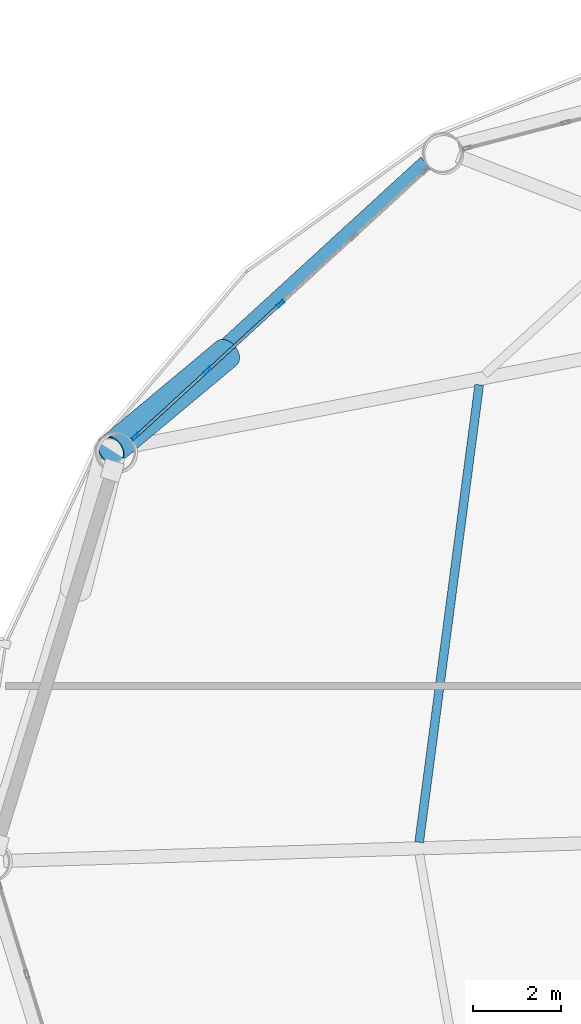
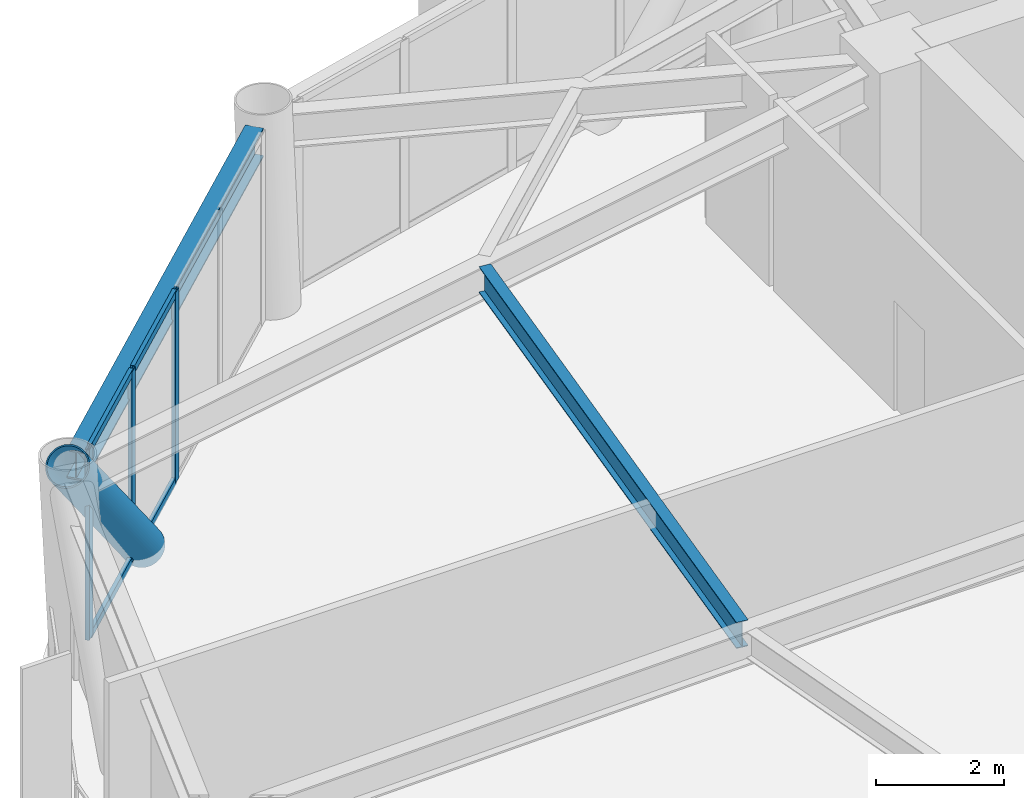
# One storey, part 12 of 25: 8 members, 2 beams, 1 element without a shape of its own.
"""IFC4 building model written with IfcOpenShell, lengths in metres."""

import ifcopenshell
import ifcopenshell.guid

model = None  # the IFC model being written
_history = None  # IfcOwnerHistory: only IFC2X3 demands one
_inside = {}  # id of a spatial element -> (the spatial element, [elements in it])
_under = {}  # id of a project, library or spatial element -> (it, [spatial elements below it])
_declared = {}  # id of a project -> (the project, [libraries it declares])
_typed = {}  # id of a type object -> (the type object, [elements of that type])
_made_of = {}  # id of a material, layer set ... -> (it, [elements and type objects made of it])


def new_model(schema):
    """Start an empty IFC model of exactly this schema.

    Asked for "IFC4X3", IfcOpenShell would pick the latest addendum, in which some entities
    have other attributes; the version numbers below select the first issue.
    IFC2X3 requires an IfcOwnerHistory on every rooted entity: one is made here for all.
    """
    global model, _history
    if schema == "IFC4X3":
        model = ifcopenshell.file(schema_version=(4, 3, 0, 0))
    else:
        model = ifcopenshell.file(schema=schema)
    _inside.clear()
    _under.clear()
    _declared.clear()
    _typed.clear()
    _made_of.clear()
    _history = None
    if model.schema == "IFC2X3":
        org = make("IfcOrganization", Name="unknown")
        user = make(
            "IfcPersonAndOrganization",
            ThePerson=make("IfcPerson", FamilyName="unknown"),
            TheOrganization=org,
        )
        app = make(
            "IfcApplication",
            ApplicationDeveloper=org,
            Version="unknown",
            ApplicationFullName="unknown",
            ApplicationIdentifier="unknown",
        )
        _history = make(
            "IfcOwnerHistory",
            OwningUser=user,
            OwningApplication=app,
            ChangeAction="ADDED",
            CreationDate=0,
        )
    return model


def make(cls, **values):
    """One entity of the class cls with the attributes given. An attribute that is None is left unset."""
    return model.create_entity(
        cls, **{name: value for name, value in values.items() if value is not None}
    )


def rooted(cls, **values):
    """An entity with a GlobalId (a new one), such as an element, a storey or a relation."""
    return make(cls, GlobalId=ifcopenshell.guid.new(), OwnerHistory=_history, **values)


def si_unit(unit_type, name, prefix=None):
    """IfcSIUnit, for example si_unit("LENGTHUNIT", "METRE", prefix="MILLI")."""
    return make("IfcSIUnit", UnitType=unit_type, Prefix=prefix, Name=name)


def assignment(units):
    """IfcUnitAssignment: the units of a project."""
    return None if units is None else make("IfcUnitAssignment", Units=units)


def point(xyz):
    """IfcCartesianPoint."""
    return None if xyz is None else make("IfcCartesianPoint", Coordinates=xyz)


def direction(xyz):
    """IfcDirection."""
    return None if xyz is None else make("IfcDirection", DirectionRatios=xyz)


def frame(location, z_axis=None, x_axis=None):
    """IfcAxis2Placement3D, a coordinate frame: its origin and axes. An axis left out is left unset."""
    return make(
        "IfcAxis2Placement3D",
        Location=point(location),
        Axis=direction(z_axis),
        RefDirection=direction(x_axis),
    )


def frame_2d(location, x_axis=None):
    """IfcAxis2Placement2D, a coordinate frame in the plane: its origin and x axis."""
    return make(
        "IfcAxis2Placement2D", Location=point(location), RefDirection=direction(x_axis)
    )


def origin():
    """The frame at (0, 0, 0) with its axes left unset."""
    return frame((0.0, 0.0, 0.0))


def origin_2d():
    """The frame at (0, 0) in the plane with its x axis left unset."""
    return frame_2d((0.0, 0.0))


def place(relative_to, where):
    """IfcLocalPlacement: puts the frame where relative to a parent placement (None: the world)."""
    return make(
        "IfcLocalPlacement", PlacementRelTo=relative_to, RelativePlacement=where
    )


def context(
    kind, dimensions, precision=None, world=None, true_north=None, identifier=None
):
    """IfcGeometricRepresentationContext, for example the 3D "Model" context."""
    return make(
        "IfcGeometricRepresentationContext",
        ContextIdentifier=identifier,
        ContextType=kind,
        CoordinateSpaceDimension=dimensions,
        Precision=precision,
        WorldCoordinateSystem=world,
        TrueNorth=true_north,
    )


def subcontext(parent, identifier, kind, view, scale=None):
    """IfcGeometricRepresentationSubContext, for example "Body" below "Model"."""
    return make(
        "IfcGeometricRepresentationSubContext",
        ContextIdentifier=identifier,
        ContextType=kind,
        ParentContext=parent,
        TargetScale=scale,
        TargetView=view,
    )


def project(units=None, contexts=None):
    """IfcProject with its units and contexts."""
    return rooted(
        "IfcProject",
        Name="project",
        RepresentationContexts=contexts,
        UnitsInContext=assignment(units),
    )


def spatial(cls, under=None, at=None, **own):
    """A site, building, storey or space (cls), placed at a placement, below another one or the project."""
    s = rooted(cls, ObjectPlacement=at, **own)
    if under is not None:
        _under.setdefault(under.id(), (under, []))[1].append(s)
    return s


def profile(cls, at=None, kind="AREA", **sizes):
    """A parametric profile (cls). Its sizes go by their IFC names, for example OverallWidth=200.0."""
    return make(cls, ProfileType=kind, Position=at, **sizes)


def hollow_rectangle(**sizes):
    """IfcRectangleHollowProfileDef."""
    return profile("IfcRectangleHollowProfileDef", **sizes)


def hollow_circle(**sizes):
    """IfcCircleHollowProfileDef."""
    return profile("IfcCircleHollowProfileDef", **sizes)


def i_section(**sizes):
    """IfcIShapeProfileDef."""
    return profile("IfcIShapeProfileDef", **sizes)


def extrude(swept, where, along, depth):
    """IfcExtrudedAreaSolid: the profile swept, set in the frame where, extruded along a direction by depth."""
    return make(
        "IfcExtrudedAreaSolid",
        SweptArea=swept,
        Position=where,
        ExtrudedDirection=direction(along),
        Depth=depth,
    )


def shape(context_of_items, identifier, shape_type, items):
    """IfcShapeRepresentation: the items that make up one representation, for example the "Body"."""
    return make(
        "IfcShapeRepresentation",
        ContextOfItems=context_of_items,
        RepresentationIdentifier=identifier,
        RepresentationType=shape_type,
        Items=items,
    )


def material(Name=None, Category=None):
    """IfcMaterial."""
    return make("IfcMaterial", Name=Name, Category=Category)


def layer(
    of_material, thickness, ventilated=None, Name=None, Category=None, Priority=None
):
    """IfcMaterialLayer: one layer of a wall or slab, of a material (None: an air gap)."""
    return make(
        "IfcMaterialLayer",
        Material=of_material,
        LayerThickness=thickness,
        IsVentilated=ventilated,
        Name=Name,
        Category=Category,
        Priority=Priority,
    )


def layer_set(layers, Name=None):
    """IfcMaterialLayerSet."""
    return make("IfcMaterialLayerSet", MaterialLayers=layers, LayerSetName=Name)


def material_profile(
    of_material, cross_section, Name=None, Category=None, Priority=None
):
    """IfcMaterialProfile: a cross section and its material."""
    return make(
        "IfcMaterialProfile",
        Name=Name,
        Material=of_material,
        Profile=cross_section,
        Priority=Priority,
        Category=Category,
    )


def profile_set(profiles, Name=None, composite=None):
    """IfcMaterialProfileSet."""
    return make(
        "IfcMaterialProfileSet",
        Name=Name,
        MaterialProfiles=profiles,
        CompositeProfile=composite,
    )


def made_of(thing, what):
    """Note that an element or type object is made of a material, layer set ...; save() writes the relation."""
    if what is not None:
        _made_of.setdefault(what.id(), (what, []))[1].append(thing)
    return thing


def type_object(cls, material=None, **own):
    """A type object (cls), such as IfcWallType, which elements share."""
    return made_of(rooted(cls, **own), material)


def element(
    cls,
    number,
    at=None,
    inside=None,
    cuts=None,
    type_object=None,
    material=None,
    context=None,
    identifier="Body",
    shape_type=None,
    held_by="IfcProductDefinitionShape",
    body=None,
    shapes=None,
    **own,
):
    """One element of the class cls, such as IfcWall. Its Tag is "e" and its number.

    at: its placement. inside: the storey or other place that contains it. cuts: it is an
    opening in that element (IfcRelVoidsElement). A single representation is given by context,
    identifier, shape_type and body (its items); several are given by shapes. held_by: the class
    of the entity that holds the representations. save() writes the other relations.
    """
    e = rooted(cls, Tag="e%d" % number, ObjectPlacement=at, **own)
    if body is not None:
        shapes = [shape(context, identifier, shape_type, body)]
    if shapes is not None:
        e.Representation = make(held_by, Representations=shapes)
    if inside is not None:
        _inside.setdefault(inside.id(), (inside, []))[1].append(e)
    if cuts is not None:
        rooted(
            "IfcRelVoidsElement", RelatingBuildingElement=cuts, RelatedOpeningElement=e
        )
    if type_object is not None:
        _typed.setdefault(type_object.id(), (type_object, []))[1].append(e)
    return made_of(e, material)


def aggregate(whole, parts):
    """IfcRelAggregates: a whole, such as a stair, and the parts it consists of."""
    return rooted("IfcRelAggregates", RelatingObject=whole, RelatedObjects=parts)


def save(model, path):
    """Write the relations noted so far, then the file.

    IfcRelAggregates (storeys below a building ...), IfcRelContainedInSpatialStructure (elements
    in a storey), IfcRelDefinesByType, IfcRelAssociatesMaterial and IfcRelDeclares: one each for
    every whole, place, type object, material and project.
    """
    for whole, parts in _under.values():
        aggregate(whole, parts)
    for where, things in _inside.values():
        rooted(
            "IfcRelContainedInSpatialStructure",
            RelatedElements=things,
            RelatingStructure=where,
        )
    for kind, things in _typed.values():
        rooted("IfcRelDefinesByType", RelatedObjects=things, RelatingType=kind)
    for what, things in _made_of.values():
        rooted("IfcRelAssociatesMaterial", RelatedObjects=things, RelatingMaterial=what)
    for by, libraries in _declared.values():
        rooted("IfcRelDeclares", RelatingContext=by, RelatedDefinitions=libraries)
    model.write(path)


model = new_model("IFC4")

# Units and contexts
model_context = context("Model", 3, precision=1e-05, world=origin(), true_north=direction((0.0, 1.0)))
body_context = subcontext(model_context, "Body", "Model", "MODEL_VIEW")
ifc_project = project(units=[si_unit("LENGTHUNIT", "METRE"), si_unit("AREAUNIT", "SQUARE_METRE"), si_unit("VOLUMEUNIT", "CUBIC_METRE"), si_unit("PLANEANGLEUNIT", "RADIAN"), si_unit("MASSUNIT", "GRAM", prefix="KILO")], contexts=[model_context])

# Site, building, storey
site_placement = place(None, origin())
site = spatial("IfcSite", under=ifc_project, at=site_placement, CompositionType="ELEMENT")
building_placement = place(site_placement, origin())
building = spatial("IfcBuilding", under=site, at=building_placement, Name="Varnakorn Sky Granary", CompositionType="ELEMENT")
storey_placement = place(building_placement, frame((0.0, 0.0, 35.39990234375)))
storey = spatial("IfcBuildingStorey", under=building, at=storey_placement, Name="L08", CompositionType="ELEMENT", Elevation=35.39990234375)

# Beams
ifc_material_1 = material(Name="Steel S355JR", Category="steel")
ifc_material_profile_1 = material_profile(ifc_material_1, i_section(OverallWidth=0.199951171875, OverallDepth=0.5, WebThickness=0.01025390625, FlangeThickness=0.01611328125, at=origin_2d()), Name="IPE 500")
ifc_profile_set_1 = profile_set([ifc_material_profile_1], Name="Steel S355JR")
beam_type_1 = type_object("IfcBeamType", Name="BM-SEC-Z1", PredefinedType="BEAM", material=ifc_profile_set_1)
beam_1_placement = place(storey_placement, frame((-10.83154296875, 10.8603515625, 3.39013671875), z_axis=(-0.130078959198, -0.991503638104, 0.0), x_axis=(0.991503638104, -0.130078959198, 0.0)))
element("IfcBeam", 1, at=beam_1_placement, inside=storey, type_object=beam_type_1, Name="Secondary Floor Chord Beam MSB06 L08", PredefinedType="BEAM", context=body_context, shape_type="SweptSolid", body=[
    extrude(i_section(OverallWidth=0.199951171875, OverallDepth=0.5, WebThickness=0.01025390625, FlangeThickness=0.01611328125, at=origin_2d()), origin(), (0.0, 0.0, 1.0), 10.510498046875),
])
ifc_material_profile_2 = material_profile(ifc_material_1, i_section(OverallWidth=0.300048828125, OverallDepth=0.550048828125, WebThickness=0.014892578125, FlangeThickness=0.029052734375, at=origin_2d()), Name="HE 550 B")
ifc_profile_set_2 = profile_set([ifc_material_profile_2], Name="Steel S355JR")
beam_type_2 = type_object("IfcBeamType", Name="BM-SPD-Z1", PredefinedType="SPANDREL", material=ifc_profile_set_2)
beam_2_placement = place(storey_placement, frame((-12.0615234375, 15.937744140625, 3.364990234375), z_axis=(-0.737455592026, -0.675395624645, 0.0), x_axis=(0.675395624645, -0.737455592026, 0.0)))
element("IfcBeam", 2, at=beam_2_placement, inside=storey, type_object=beam_type_2, Name="Perimeter Spandrel Ring Beam RB05 L08", PredefinedType="SPANDREL", context=body_context, shape_type="SweptSolid", body=[
    extrude(i_section(OverallWidth=0.300048828125, OverallDepth=0.550048828125, WebThickness=0.014892578125, FlangeThickness=0.029052734375, at=origin_2d()), origin(), (0.0, 0.0, 1.0), 9.2763671875),
])

# Curtain wall, members
ifc_material_2 = material(Name="Anodised Bronze Aluminium Alloy 6063-T6", Category="aluminium")
ifc_layer = layer(ifc_material_2, 0.18994140625, Name="Anodised Bronze Aluminium Alloy 6063-T6")
ifc_layer_set = layer_set([ifc_layer], Name="Anodised Bronze Aluminium Alloy 6063-T6")
curtain_wall_type = type_object("IfcCurtainWallType", Name="CW-FRM-1", PredefinedType="USERDEFINED", material=ifc_layer_set)
curtain_wall_placement = place(storey_placement, origin())
curtain_wall = element("IfcCurtainWall", 3, at=curtain_wall_placement, inside=storey, type_object=curtain_wall_type, Name="Unitised Curtain Wall CW3 CW-L08-B05", ObjectType="CURTAIN WALL", PredefinedType="USERDEFINED")
ifc_material_profile_3 = material_profile(ifc_material_2, hollow_rectangle(XDim=0.070068359375, YDim=0.18505859375, WallThickness=0.00390625, at=origin_2d()), Name="ALU MULL 70x185")
ifc_profile_set_3 = profile_set([ifc_material_profile_3], Name="Anodised Bronze Aluminium Alloy 6063-T6")
member_type_1 = type_object("IfcMemberType", Name="CW-FRM-1-MULL", PredefinedType="MULLION", material=ifc_profile_set_3)
member_1_placement = place(storey_placement, frame((-18.6640625, 9.676025390625, 0.0), z_axis=(0.0, 0.0, 1.0), x_axis=(-0.675878356504, 0.737013193375, 0.0)))
member_1 = element("IfcMember", 4, at=member_1_placement, type_object=member_type_1, Name="CW3 mullion 1", PredefinedType="MULLION", context=body_context, shape_type="SweptSolid", body=[
    extrude(hollow_rectangle(XDim=0.070068359375, YDim=0.18505859375, WallThickness=0.00390625, at=origin_2d()), origin(), (0.0, 0.0, 1.0), 3.64013671875),
])
member_2_placement = place(storey_placement, frame((-17.023681640625, 11.18017578125, 0.0), z_axis=(0.0, 0.0, 1.0), x_axis=(-0.675878356504, 0.737013193375, 0.0)))
member_2 = element("IfcMember", 5, at=member_2_placement, type_object=member_type_1, Name="CW3 mullion 2", PredefinedType="MULLION", context=body_context, shape_type="SweptSolid", body=[
    extrude(hollow_rectangle(XDim=0.070068359375, YDim=0.18505859375, WallThickness=0.00390625, at=origin_2d()), origin(), (0.0, 0.0, 1.0), 3.64013671875),
])
member_3_placement = place(storey_placement, frame((-15.357666015625, 12.708251953125, 0.0), z_axis=(0.0, 0.0, 1.0), x_axis=(-0.675878356504, 0.737013193375, 0.0)))
member_3 = element("IfcMember", 6, at=member_3_placement, type_object=member_type_1, Name="CW3 mullion 3", PredefinedType="MULLION", context=body_context, shape_type="SweptSolid", body=[
    extrude(hollow_rectangle(XDim=0.070068359375, YDim=0.18505859375, WallThickness=0.00390625, at=origin_2d()), origin(), (0.0, 0.0, 1.0), 3.64013671875),
])
ifc_material_profile_4 = material_profile(ifc_material_2, hollow_rectangle(XDim=0.070068359375, YDim=0.139892578125, WallThickness=0.00341796875, at=origin_2d()), Name="ALU TRAN 70x140")
ifc_profile_set_4 = profile_set([ifc_material_profile_4], Name="Anodised Bronze Aluminium Alloy 6063-T6")
member_type_2 = type_object("IfcMemberType", Name="CW-FRM-1-TRAN", PredefinedType="USERDEFINED", material=ifc_profile_set_4)
member_4_placement = place(storey_placement, frame((-18.63818359375, 9.69970703125, 0.03515625), z_axis=(0.736970763083, 0.675924621804, 0.0), x_axis=(-0.675924621804, 0.736970763083, 0.0)))
member_4 = element("IfcMember", 7, at=member_4_placement, type_object=member_type_2, Name="CW3 transom 1.1", ObjectType="TRANSOM", PredefinedType="USERDEFINED", context=body_context, shape_type="SweptSolid", body=[
    extrude(hollow_rectangle(XDim=0.070068359375, YDim=0.139892578125, WallThickness=0.00341796875, at=origin_2d()), origin(), (0.0, 0.0, 1.0), 2.155517578125),
])
member_5_placement = place(storey_placement, frame((-18.63818359375, 9.69970703125, 3.60498046875), z_axis=(0.736970763083, 0.675924621804, 0.0), x_axis=(-0.675924621804, 0.736970763083, 0.0)))
member_5 = element("IfcMember", 8, at=member_5_placement, type_object=member_type_2, Name="CW3 transom 1.2", ObjectType="TRANSOM", PredefinedType="USERDEFINED", context=body_context, shape_type="SweptSolid", body=[
    extrude(hollow_rectangle(XDim=0.070068359375, YDim=0.139892578125, WallThickness=0.00341796875, at=origin_2d()), origin(), (0.0, 0.0, 1.0), 2.155517578125),
])
member_6_placement = place(storey_placement, frame((-16.998046875, 11.203857421875, 0.03515625), z_axis=(0.736982954511, 0.675911329066, 0.0), x_axis=(-0.675911329066, 0.736982954511, 0.0)))
member_6 = element("IfcMember", 9, at=member_6_placement, type_object=member_type_2, Name="CW3 transom 2.1", ObjectType="TRANSOM", PredefinedType="USERDEFINED", context=body_context, shape_type="SweptSolid", body=[
    extrude(hollow_rectangle(XDim=0.070068359375, YDim=0.139892578125, WallThickness=0.00341796875, at=origin_2d()), origin(), (0.0, 0.0, 1.0), 2.190673828125),
])
member_7_placement = place(storey_placement, frame((-16.998046875, 11.203857421875, 3.60498046875), z_axis=(0.736982954511, 0.675911329066, 0.0), x_axis=(-0.675911329066, 0.736982954511, 0.0)))
member_7 = element("IfcMember", 10, at=member_7_placement, type_object=member_type_2, Name="CW3 transom 2.2", ObjectType="TRANSOM", PredefinedType="USERDEFINED", context=body_context, shape_type="SweptSolid", body=[
    extrude(hollow_rectangle(XDim=0.070068359375, YDim=0.139892578125, WallThickness=0.00341796875, at=origin_2d()), origin(), (0.0, 0.0, 1.0), 2.190673828125),
])
aggregate(curtain_wall, [member_1, member_2, member_3, member_4, member_5, member_6, member_7])

# Member
ifc_material_3 = material(Name="Steel S460M", Category="steel")
ifc_material_profile_5 = material_profile(ifc_material_3, hollow_circle(Radius=0.35546875, WallThickness=0.02490234375, at=origin_2d()), Name="CHS 711x25")
ifc_profile_set_5 = profile_set([ifc_material_profile_5], Name="Steel S460M")
member_type_3 = type_object("IfcMemberType", Name="MB-DIAG-T0", PredefinedType="BRACE", material=ifc_profile_set_5)
member_8_placement = place(storey_placement, frame((-16.595458984375, 11.572998046875, -0.1298828125), z_axis=(-0.516568466605, -0.431407712444, 0.739624502672), x_axis=(0.641003042082, -0.767538337832, 0.0)))
element("IfcMember", 11, at=member_8_placement, inside=storey, type_object=member_type_3, Name="Perimeter CHS Diagrid Brace DG05 L08", PredefinedType="BRACE", context=body_context, shape_type="SweptSolid", body=[
    extrude(hollow_circle(Radius=0.35546875, WallThickness=0.02490234375, at=origin_2d()), origin(), (0.0, 0.0, 1.0), 5.09716796875),
])

save(model, "model.ifc")
